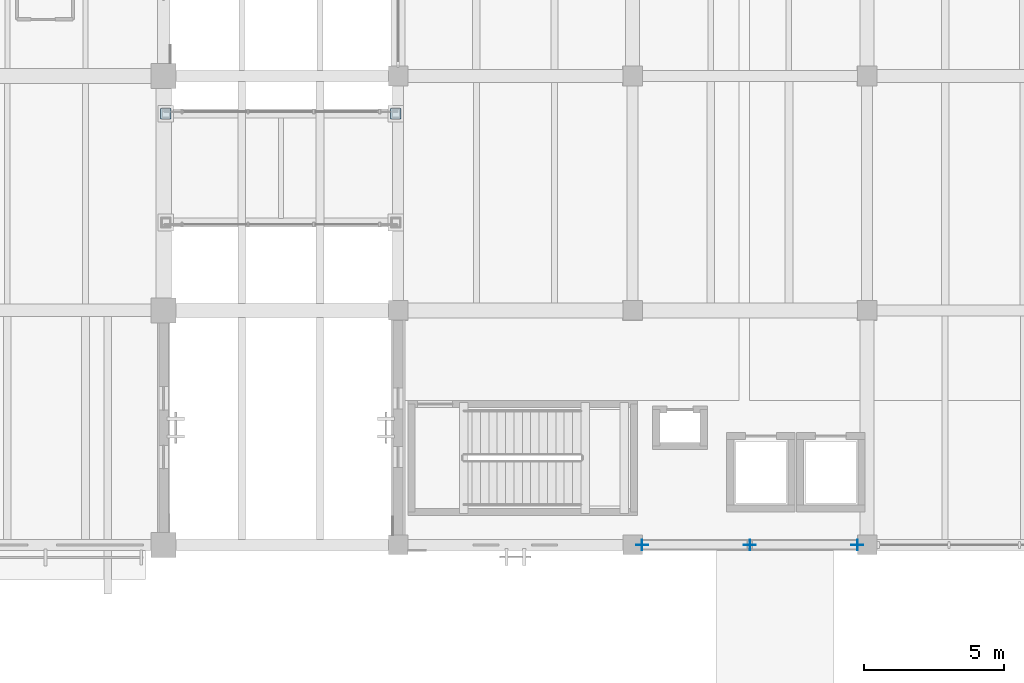
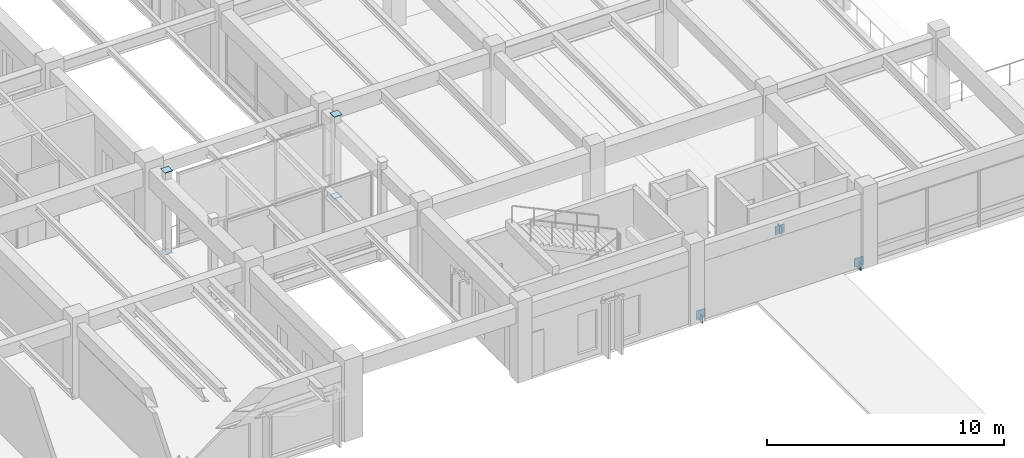
# One storey, part 79 of 132: 10 plates.
"""IFC4 building model written with IfcOpenShell, lengths in metres."""

import ifcopenshell
import ifcopenshell.guid

model = None  # the IFC model being written
_history = None  # IfcOwnerHistory: only IFC2X3 demands one
_inside = {}  # id of a spatial element -> (the spatial element, [elements in it])
_under = {}  # id of a project, library or spatial element -> (it, [spatial elements below it])
_declared = {}  # id of a project -> (the project, [libraries it declares])
_typed = {}  # id of a type object -> (the type object, [elements of that type])
_made_of = {}  # id of a material, layer set ... -> (it, [elements and type objects made of it])


def new_model(schema):
    """Start an empty IFC model of exactly this schema.

    Asked for "IFC4X3", IfcOpenShell would pick the latest addendum, in which some entities
    have other attributes; the version numbers below select the first issue.
    IFC2X3 requires an IfcOwnerHistory on every rooted entity: one is made here for all.
    """
    global model, _history
    if schema == "IFC4X3":
        model = ifcopenshell.file(schema_version=(4, 3, 0, 0))
    else:
        model = ifcopenshell.file(schema=schema)
    _inside.clear()
    _under.clear()
    _declared.clear()
    _typed.clear()
    _made_of.clear()
    _history = None
    if model.schema == "IFC2X3":
        org = make("IfcOrganization", Name="unknown")
        user = make(
            "IfcPersonAndOrganization",
            ThePerson=make("IfcPerson", FamilyName="unknown"),
            TheOrganization=org,
        )
        app = make(
            "IfcApplication",
            ApplicationDeveloper=org,
            Version="unknown",
            ApplicationFullName="unknown",
            ApplicationIdentifier="unknown",
        )
        _history = make(
            "IfcOwnerHistory",
            OwningUser=user,
            OwningApplication=app,
            ChangeAction="ADDED",
            CreationDate=0,
        )
    return model


def make(cls, **values):
    """One entity of the class cls with the attributes given. An attribute that is None is left unset."""
    return model.create_entity(
        cls, **{name: value for name, value in values.items() if value is not None}
    )


def rooted(cls, **values):
    """An entity with a GlobalId (a new one), such as an element, a storey or a relation."""
    return make(cls, GlobalId=ifcopenshell.guid.new(), OwnerHistory=_history, **values)


def si_unit(unit_type, name, prefix=None):
    """IfcSIUnit, for example si_unit("LENGTHUNIT", "METRE", prefix="MILLI")."""
    return make("IfcSIUnit", UnitType=unit_type, Prefix=prefix, Name=name)


def assignment(units):
    """IfcUnitAssignment: the units of a project."""
    return None if units is None else make("IfcUnitAssignment", Units=units)


def point(xyz):
    """IfcCartesianPoint."""
    return None if xyz is None else make("IfcCartesianPoint", Coordinates=xyz)


def direction(xyz):
    """IfcDirection."""
    return None if xyz is None else make("IfcDirection", DirectionRatios=xyz)


def frame(location, z_axis=None, x_axis=None):
    """IfcAxis2Placement3D, a coordinate frame: its origin and axes. An axis left out is left unset."""
    return make(
        "IfcAxis2Placement3D",
        Location=point(location),
        Axis=direction(z_axis),
        RefDirection=direction(x_axis),
    )


def frame_2d(location, x_axis=None):
    """IfcAxis2Placement2D, a coordinate frame in the plane: its origin and x axis."""
    return make(
        "IfcAxis2Placement2D", Location=point(location), RefDirection=direction(x_axis)
    )


def origin():
    """The frame at (0, 0, 0) with its axes left unset."""
    return frame((0.0, 0.0, 0.0))


def origin_2d():
    """The frame at (0, 0) in the plane with its x axis left unset."""
    return frame_2d((0.0, 0.0))


def place(relative_to, where):
    """IfcLocalPlacement: puts the frame where relative to a parent placement (None: the world)."""
    return make(
        "IfcLocalPlacement", PlacementRelTo=relative_to, RelativePlacement=where
    )


def context(
    kind, dimensions, precision=None, world=None, true_north=None, identifier=None
):
    """IfcGeometricRepresentationContext, for example the 3D "Model" context."""
    return make(
        "IfcGeometricRepresentationContext",
        ContextIdentifier=identifier,
        ContextType=kind,
        CoordinateSpaceDimension=dimensions,
        Precision=precision,
        WorldCoordinateSystem=world,
        TrueNorth=true_north,
    )


def subcontext(parent, identifier, kind, view, scale=None):
    """IfcGeometricRepresentationSubContext, for example "Body" below "Model"."""
    return make(
        "IfcGeometricRepresentationSubContext",
        ContextIdentifier=identifier,
        ContextType=kind,
        ParentContext=parent,
        TargetScale=scale,
        TargetView=view,
    )


def project(units=None, contexts=None):
    """IfcProject with its units and contexts."""
    return rooted(
        "IfcProject",
        Name="project",
        RepresentationContexts=contexts,
        UnitsInContext=assignment(units),
    )


def spatial(cls, under=None, at=None, **own):
    """A site, building, storey or space (cls), placed at a placement, below another one or the project."""
    s = rooted(cls, ObjectPlacement=at, **own)
    if under is not None:
        _under.setdefault(under.id(), (under, []))[1].append(s)
    return s


def profile(cls, at=None, kind="AREA", **sizes):
    """A parametric profile (cls). Its sizes go by their IFC names, for example OverallWidth=200.0."""
    return make(cls, ProfileType=kind, Position=at, **sizes)


def rectangle(**sizes):
    """IfcRectangleProfileDef."""
    return profile("IfcRectangleProfileDef", **sizes)


def extrude(swept, where, along, depth):
    """IfcExtrudedAreaSolid: the profile swept, set in the frame where, extruded along a direction by depth."""
    return make(
        "IfcExtrudedAreaSolid",
        SweptArea=swept,
        Position=where,
        ExtrudedDirection=direction(along),
        Depth=depth,
    )


def shape(context_of_items, identifier, shape_type, items):
    """IfcShapeRepresentation: the items that make up one representation, for example the "Body"."""
    return make(
        "IfcShapeRepresentation",
        ContextOfItems=context_of_items,
        RepresentationIdentifier=identifier,
        RepresentationType=shape_type,
        Items=items,
    )


def material(Name=None, Category=None):
    """IfcMaterial."""
    return make("IfcMaterial", Name=Name, Category=Category)


def layer(
    of_material, thickness, ventilated=None, Name=None, Category=None, Priority=None
):
    """IfcMaterialLayer: one layer of a wall or slab, of a material (None: an air gap)."""
    return make(
        "IfcMaterialLayer",
        Material=of_material,
        LayerThickness=thickness,
        IsVentilated=ventilated,
        Name=Name,
        Category=Category,
        Priority=Priority,
    )


def layer_set(layers, Name=None):
    """IfcMaterialLayerSet."""
    return make("IfcMaterialLayerSet", MaterialLayers=layers, LayerSetName=Name)


def made_of(thing, what):
    """Note that an element or type object is made of a material, layer set ...; save() writes the relation."""
    if what is not None:
        _made_of.setdefault(what.id(), (what, []))[1].append(thing)
    return thing


def type_object(cls, material=None, **own):
    """A type object (cls), such as IfcWallType, which elements share."""
    return made_of(rooted(cls, **own), material)


def element(
    cls,
    number,
    at=None,
    inside=None,
    cuts=None,
    type_object=None,
    material=None,
    context=None,
    identifier="Body",
    shape_type=None,
    held_by="IfcProductDefinitionShape",
    body=None,
    shapes=None,
    **own,
):
    """One element of the class cls, such as IfcWall. Its Tag is "e" and its number.

    at: its placement. inside: the storey or other place that contains it. cuts: it is an
    opening in that element (IfcRelVoidsElement). A single representation is given by context,
    identifier, shape_type and body (its items); several are given by shapes. held_by: the class
    of the entity that holds the representations. save() writes the other relations.
    """
    e = rooted(cls, Tag="e%d" % number, ObjectPlacement=at, **own)
    if body is not None:
        shapes = [shape(context, identifier, shape_type, body)]
    if shapes is not None:
        e.Representation = make(held_by, Representations=shapes)
    if inside is not None:
        _inside.setdefault(inside.id(), (inside, []))[1].append(e)
    if cuts is not None:
        rooted(
            "IfcRelVoidsElement", RelatingBuildingElement=cuts, RelatedOpeningElement=e
        )
    if type_object is not None:
        _typed.setdefault(type_object.id(), (type_object, []))[1].append(e)
    return made_of(e, material)


def aggregate(whole, parts):
    """IfcRelAggregates: a whole, such as a stair, and the parts it consists of."""
    return rooted("IfcRelAggregates", RelatingObject=whole, RelatedObjects=parts)


def save(model, path):
    """Write the relations noted so far, then the file.

    IfcRelAggregates (storeys below a building ...), IfcRelContainedInSpatialStructure (elements
    in a storey), IfcRelDefinesByType, IfcRelAssociatesMaterial and IfcRelDeclares: one each for
    every whole, place, type object, material and project.
    """
    for whole, parts in _under.values():
        aggregate(whole, parts)
    for where, things in _inside.values():
        rooted(
            "IfcRelContainedInSpatialStructure",
            RelatedElements=things,
            RelatingStructure=where,
        )
    for kind, things in _typed.values():
        rooted("IfcRelDefinesByType", RelatedObjects=things, RelatingType=kind)
    for what, things in _made_of.values():
        rooted("IfcRelAssociatesMaterial", RelatedObjects=things, RelatingMaterial=what)
    for by, libraries in _declared.values():
        rooted("IfcRelDeclares", RelatingContext=by, RelatedDefinitions=libraries)
    model.write(path)


model = new_model("IFC4")

# Units and contexts
model_context = context("Model", 3, precision=1e-05, world=origin(), true_north=direction((0.0, 1.0)))
body_context = subcontext(model_context, "Body", "Model", "MODEL_VIEW")
ifc_project = project(units=[si_unit("LENGTHUNIT", "METRE"), si_unit("AREAUNIT", "SQUARE_METRE"), si_unit("VOLUMEUNIT", "CUBIC_METRE"), si_unit("PLANEANGLEUNIT", "RADIAN"), si_unit("MASSUNIT", "GRAM", prefix="KILO")], contexts=[model_context])

# Site, building, storey
site_placement = place(None, origin())
site = spatial("IfcSite", under=ifc_project, at=site_placement, CompositionType="ELEMENT")
building_placement = place(site_placement, origin())
building = spatial("IfcBuilding", under=site, at=building_placement, Name="Cumbredor Promenade Congress Hotel", CompositionType="ELEMENT")
storey_placement = place(building_placement, frame((0.0, 0.0, 7.56005859375)))
storey = spatial("IfcBuildingStorey", under=building, at=storey_placement, Name="L02", CompositionType="ELEMENT", Elevation=7.56005859375)

# Plates
ifc_material = material(Name="Steel ASTM A572 Grade 50", Category="steel")
ifc_layer_1 = layer(ifc_material, 0.02001953125, Name="Steel ASTM A572 Grade 50", Category="steel")
ifc_layer_set_1 = layer_set([ifc_layer_1], Name="Steel ASTM A572 Grade 50")
plate_type_1 = type_object("IfcPlateType", Name="Hollow Section End Cap Plate CP-04", PredefinedType="USERDEFINED", material=ifc_layer_set_1)
for number, where, z_axis, x_axis, name in (
    (1, (101.143798828125, 84.0, -0.195068359375), (0.0, 0.0, 1.0), (1.0, 0.0, 0.0), "L02 Chevron Seismic Brace 20A Start Cap Plate"),
    (2, (105.006103515625, 84.0, 3.005126953125), (0.0, 0.0, 1.0), (1.0, 0.0, 0.0), "L02 Chevron Seismic Brace 20A End Cap Plate"),
    (3, (108.856201171875, 84.0, -0.195068359375), (0.0, 0.0, 1.0), (-1.0, 0.0, 0.0), "L02 Chevron Seismic Brace 20B Start Cap Plate"),
):
    element("IfcPlate", number, at=place(storey_placement, frame(where, z_axis=z_axis, x_axis=x_axis)), inside=storey, type_object=plate_type_1, Name=name, ObjectType="CAP PLATE", PredefinedType="USERDEFINED", context=body_context, shape_type="SweptSolid", body=[
        extrude(rectangle(XDim=0.02001953125, YDim=0.3798828125, at=origin_2d()), origin(), (0.0, 0.0, 1.0), 0.3798828125),
    ])
for number, where, z_axis, x_axis, name in (
    (4, (84.080078125, 99.449951171875, -0.01806640625), (0.0, 0.0, 1.0), (1.0, 0.0, 0.0), "L02 North Hotel-to-Forum Glazed Bridge Support Column 2 Start Cap Plate"),
    (5, (84.080078125, 99.449951171875, 4.197998046875), (0.0, 0.0, 1.0), (1.0, 0.0, 0.0), "L02 North Hotel-to-Forum Glazed Bridge Support Column 2 End Cap Plate"),
    (6, (92.320068359375, 99.449951171875, -0.01806640625), (0.0, 0.0, 1.0), (1.0, 0.0, 0.0), "L02 North Hotel-to-Forum Glazed Bridge Support Column 4 Start Cap Plate"),
    (7, (92.320068359375, 99.449951171875, 4.197998046875), (0.0, 0.0, 1.0), (1.0, 0.0, 0.0), "L02 North Hotel-to-Forum Glazed Bridge Support Column 4 End Cap Plate"),
):
    element("IfcPlate", number, at=place(storey_placement, frame(where, z_axis=z_axis, x_axis=x_axis)), inside=storey, type_object=plate_type_1, Name=name, ObjectType="CAP PLATE", PredefinedType="USERDEFINED", context=body_context, shape_type="SweptSolid", body=[
        extrude(rectangle(XDim=0.3798828125, YDim=0.3798828125, at=origin_2d()), origin(), (0.0, 0.0, 1.0), 0.02001953125),
    ])
ifc_layer_2 = layer(ifc_material, 0.028076171875, Name="Steel ASTM A572 Grade 50", Category="steel")
ifc_layer_set_2 = layer_set([ifc_layer_2], Name="Steel ASTM A572 Grade 50")
plate_type_2 = type_object("IfcPlateType", Name="Space Frame Node Assembly ND-03", PredefinedType="USERDEFINED", material=ifc_layer_set_2)
for number, where, z_axis, x_axis, name in (
    (8, (101.14990234375, 84.0, -0.0400390625), (0.0, 0.0, 1.0), (1.0, 0.0, 0.0), "L02 Seismic Frame Gusset Plate 20-BL"),
    (9, (108.85009765625, 84.0, -0.0400390625), (0.0, 0.0, 1.0), (1.0, 0.0, 0.0), "L02 Seismic Frame Gusset Plate 20-BR"),
    (10, (105.0, 84.0, 2.969970703125), (0.0, 0.0, 1.0), (1.0, 0.0, 0.0), "L02 Seismic Frame Gusset Plate 20-APX"),
):
    element("IfcPlate", number, at=place(storey_placement, frame(where, z_axis=z_axis, x_axis=x_axis)), inside=storey, type_object=plate_type_2, Name=name, ObjectType="GUSSET PLATE", PredefinedType="USERDEFINED", context=body_context, shape_type="SweptSolid", body=[
        extrude(rectangle(XDim=0.43994140625, YDim=0.028076171875, at=origin_2d()), origin(), (0.0, 0.0, 1.0), 0.43994140625),
    ])

save(model, "model.ifc")
